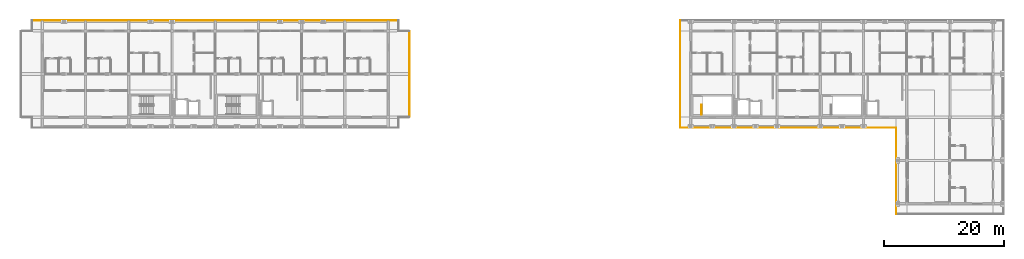
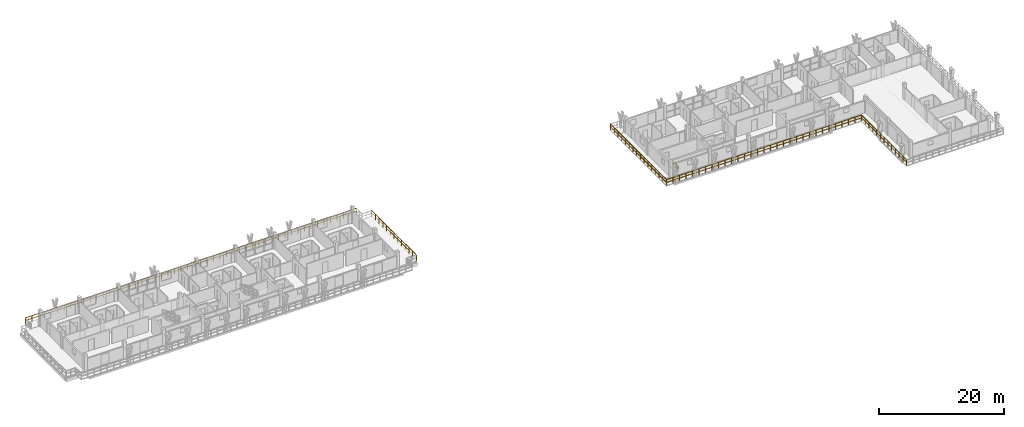
# One storey, part 31 of 32: 6 railings.
"""IFC4 building model written with IfcOpenShell, lengths in metres."""

from ifc_helpers import new_model, si_unit, direction, frame, origin, origin_2d, place, context, subcontext, project, spatial, rectangle, extrude, material, type_object, element, save


model = new_model("IFC4")

# Units and contexts
model_context = context("Model", 3, precision=1e-05, world=origin(), true_north=direction((0.0, 1.0)))
body_context = subcontext(model_context, "Body", "Model", "MODEL_VIEW")
ifc_project = project(units=[si_unit("LENGTHUNIT", "METRE"), si_unit("AREAUNIT", "SQUARE_METRE"), si_unit("VOLUMEUNIT", "CUBIC_METRE"), si_unit("PLANEANGLEUNIT", "RADIAN"), si_unit("MASSUNIT", "GRAM", prefix="KILO")], contexts=[model_context])

# Site, building, storey
site_placement = place(None, origin())
site = spatial("IfcSite", under=ifc_project, at=site_placement, CompositionType="ELEMENT")
building_placement = place(site_placement, origin())
building = spatial("IfcBuilding", under=site, at=building_placement, Name="Suanplinth Sawtooth Commons", CompositionType="ELEMENT")
storey_placement = place(building_placement, frame((0.0, 0.0, 41.199951171875)))
storey = spatial("IfcBuildingStorey", under=building, at=storey_placement, Name="L12", CompositionType="ELEMENT", Elevation=41.199951171875)

# Railings
ifc_material_1 = material(Name="Powder-coated galvanized steel", Category="steel")
railing_type_1 = type_object("IfcRailingType", Name="GR-01", PredefinedType="BALUSTRADE", material=ifc_material_1)
railing_1_placement = place(storey_placement, frame((27.06005859375, 124.139892578125, 0.0)))
element("IfcRailing", 1, at=railing_1_placement, inside=storey, type_object=railing_type_1, Name="L12 Block A Perimeter Balustrade 5", PredefinedType="BALUSTRADE", context=body_context, shape_type="SweptSolid", body=[
    extrude(rectangle(XDim=0.048095703125, YDim=0.048095703125, at=origin_2d()), frame((0.0, 0.0, 1.09619140625), z_axis=(1.0, 0.0, 0.0), x_axis=(0.0, 1.0, 0.0)), (0.0, 0.0, 1.0), 61.079833984375),
    extrude(rectangle(XDim=0.03369140625, YDim=0.03369140625, at=origin_2d()), frame((0.0, 0.0, 0.56005859375), z_axis=(1.0, 0.0, 0.0), x_axis=(0.0, 1.0, 0.0)), (0.0, 0.0, 1.0), 61.079833984375),
    extrude(rectangle(XDim=0.0419921875, YDim=0.0419921875, at=origin_2d()), origin(), (0.0, 0.0, 1.0), 1.072021484375),
    extrude(rectangle(XDim=0.0419921875, YDim=0.0419921875, at=origin_2d()), frame((1.19775390625, 0.0, 0.0)), (0.0, 0.0, 1.0), 1.072021484375),
    extrude(rectangle(XDim=0.0419921875, YDim=0.0419921875, at=origin_2d()), frame((2.395263671875, 0.0, 0.0)), (0.0, 0.0, 1.0), 1.072021484375),
    extrude(rectangle(XDim=0.0419921875, YDim=0.0419921875, at=origin_2d()), frame((3.593017578125, 0.0, 0.0)), (0.0, 0.0, 1.0), 1.072021484375),
    extrude(rectangle(XDim=0.0419921875, YDim=0.0419921875, at=origin_2d()), frame((4.79052734375, 0.0, 0.0)), (0.0, 0.0, 1.0), 1.072021484375),
    extrude(rectangle(XDim=0.0419921875, YDim=0.0419921875, at=origin_2d()), frame((5.98828125, 0.0, 0.0)), (0.0, 0.0, 1.0), 1.072021484375),
    extrude(rectangle(XDim=0.0419921875, YDim=0.0419921875, at=origin_2d()), frame((7.185791015625, 0.0, 0.0)), (0.0, 0.0, 1.0), 1.072021484375),
    extrude(rectangle(XDim=0.0419921875, YDim=0.0419921875, at=origin_2d()), frame((8.383544921875, 0.0, 0.0)), (0.0, 0.0, 1.0), 1.072021484375),
    extrude(rectangle(XDim=0.0419921875, YDim=0.0419921875, at=origin_2d()), frame((9.5810546875, 0.0, 0.0)), (0.0, 0.0, 1.0), 1.072021484375),
    extrude(rectangle(XDim=0.0419921875, YDim=0.0419921875, at=origin_2d()), frame((10.77880859375, 0.0, 0.0)), (0.0, 0.0, 1.0), 1.072021484375),
    extrude(rectangle(XDim=0.0419921875, YDim=0.0419921875, at=origin_2d()), frame((11.976318359375, 0.0, 0.0)), (0.0, 0.0, 1.0), 1.072021484375),
    extrude(rectangle(XDim=0.0419921875, YDim=0.0419921875, at=origin_2d()), frame((13.174072265625, 0.0, 0.0)), (0.0, 0.0, 1.0), 1.072021484375),
    extrude(rectangle(XDim=0.0419921875, YDim=0.0419921875, at=origin_2d()), frame((14.371826171875, 0.0, 0.0)), (0.0, 0.0, 1.0), 1.072021484375),
    extrude(rectangle(XDim=0.0419921875, YDim=0.0419921875, at=origin_2d()), frame((15.5693359375, 0.0, 0.0)), (0.0, 0.0, 1.0), 1.072021484375),
    extrude(rectangle(XDim=0.0419921875, YDim=0.0419921875, at=origin_2d()), frame((16.76708984375, 0.0, 0.0)), (0.0, 0.0, 1.0), 1.072021484375),
    extrude(rectangle(XDim=0.0419921875, YDim=0.0419921875, at=origin_2d()), frame((17.964599609375, 0.0, 0.0)), (0.0, 0.0, 1.0), 1.072021484375),
    extrude(rectangle(XDim=0.0419921875, YDim=0.0419921875, at=origin_2d()), frame((19.162353515625, 0.0, 0.0)), (0.0, 0.0, 1.0), 1.072021484375),
    extrude(rectangle(XDim=0.0419921875, YDim=0.0419921875, at=origin_2d()), frame((20.35986328125, 0.0, 0.0)), (0.0, 0.0, 1.0), 1.072021484375),
    extrude(rectangle(XDim=0.0419921875, YDim=0.0419921875, at=origin_2d()), frame((21.5576171875, 0.0, 0.0)), (0.0, 0.0, 1.0), 1.072021484375),
    extrude(rectangle(XDim=0.0419921875, YDim=0.0419921875, at=origin_2d()), frame((22.755126953125, 0.0, 0.0)), (0.0, 0.0, 1.0), 1.072021484375),
    extrude(rectangle(XDim=0.0419921875, YDim=0.0419921875, at=origin_2d()), frame((23.952880859375, 0.0, 0.0)), (0.0, 0.0, 1.0), 1.072021484375),
    extrude(rectangle(XDim=0.0419921875, YDim=0.0419921875, at=origin_2d()), frame((25.150634765625, 0.0, 0.0)), (0.0, 0.0, 1.0), 1.072021484375),
    extrude(rectangle(XDim=0.0419921875, YDim=0.0419921875, at=origin_2d()), frame((26.34814453125, 0.0, 0.0)), (0.0, 0.0, 1.0), 1.072021484375),
    extrude(rectangle(XDim=0.0419921875, YDim=0.0419921875, at=origin_2d()), frame((27.5458984375, 0.0, 0.0)), (0.0, 0.0, 1.0), 1.072021484375),
    extrude(rectangle(XDim=0.0419921875, YDim=0.0419921875, at=origin_2d()), frame((28.743408203125, 0.0, 0.0)), (0.0, 0.0, 1.0), 1.072021484375),
    extrude(rectangle(XDim=0.0419921875, YDim=0.0419921875, at=origin_2d()), frame((29.941162109375, 0.0, 0.0)), (0.0, 0.0, 1.0), 1.072021484375),
    extrude(rectangle(XDim=0.0419921875, YDim=0.0419921875, at=origin_2d()), frame((31.138671875, 0.0, 0.0)), (0.0, 0.0, 1.0), 1.072021484375),
    extrude(rectangle(XDim=0.0419921875, YDim=0.0419921875, at=origin_2d()), frame((32.33642578125, 0.0, 0.0)), (0.0, 0.0, 1.0), 1.072021484375),
    extrude(rectangle(XDim=0.0419921875, YDim=0.0419921875, at=origin_2d()), frame((33.533935546875, 0.0, 0.0)), (0.0, 0.0, 1.0), 1.072021484375),
    extrude(rectangle(XDim=0.0419921875, YDim=0.0419921875, at=origin_2d()), frame((34.731689453125, 0.0, 0.0)), (0.0, 0.0, 1.0), 1.072021484375),
    extrude(rectangle(XDim=0.0419921875, YDim=0.0419921875, at=origin_2d()), frame((35.92919921875, 0.0, 0.0)), (0.0, 0.0, 1.0), 1.072021484375),
    extrude(rectangle(XDim=0.0419921875, YDim=0.0419921875, at=origin_2d()), frame((37.126953125, 0.0, 0.0)), (0.0, 0.0, 1.0), 1.072021484375),
    extrude(rectangle(XDim=0.0419921875, YDim=0.0419921875, at=origin_2d()), frame((38.32470703125, 0.0, 0.0)), (0.0, 0.0, 1.0), 1.072021484375),
    extrude(rectangle(XDim=0.0419921875, YDim=0.0419921875, at=origin_2d()), frame((39.522216796875, 0.0, 0.0)), (0.0, 0.0, 1.0), 1.072021484375),
    extrude(rectangle(XDim=0.0419921875, YDim=0.0419921875, at=origin_2d()), frame((40.719970703125, 0.0, 0.0)), (0.0, 0.0, 1.0), 1.072021484375),
    extrude(rectangle(XDim=0.0419921875, YDim=0.0419921875, at=origin_2d()), frame((41.91748046875, 0.0, 0.0)), (0.0, 0.0, 1.0), 1.072021484375),
    extrude(rectangle(XDim=0.0419921875, YDim=0.0419921875, at=origin_2d()), frame((43.115234375, 0.0, 0.0)), (0.0, 0.0, 1.0), 1.072021484375),
    extrude(rectangle(XDim=0.0419921875, YDim=0.0419921875, at=origin_2d()), frame((44.312744140625, 0.0, 0.0)), (0.0, 0.0, 1.0), 1.072021484375),
    extrude(rectangle(XDim=0.0419921875, YDim=0.0419921875, at=origin_2d()), frame((45.510498046875, 0.0, 0.0)), (0.0, 0.0, 1.0), 1.072021484375),
    extrude(rectangle(XDim=0.0419921875, YDim=0.0419921875, at=origin_2d()), frame((46.7080078125, 0.0, 0.0)), (0.0, 0.0, 1.0), 1.072021484375),
    extrude(rectangle(XDim=0.0419921875, YDim=0.0419921875, at=origin_2d()), frame((47.90576171875, 0.0, 0.0)), (0.0, 0.0, 1.0), 1.072021484375),
    extrude(rectangle(XDim=0.0419921875, YDim=0.0419921875, at=origin_2d()), frame((49.103515625, 0.0, 0.0)), (0.0, 0.0, 1.0), 1.072021484375),
    extrude(rectangle(XDim=0.0419921875, YDim=0.0419921875, at=origin_2d()), frame((50.301025390625, 0.0, 0.0)), (0.0, 0.0, 1.0), 1.072021484375),
    extrude(rectangle(XDim=0.0419921875, YDim=0.0419921875, at=origin_2d()), frame((51.498779296875, 0.0, 0.0)), (0.0, 0.0, 1.0), 1.072021484375),
    extrude(rectangle(XDim=0.0419921875, YDim=0.0419921875, at=origin_2d()), frame((52.6962890625, 0.0, 0.0)), (0.0, 0.0, 1.0), 1.072021484375),
    extrude(rectangle(XDim=0.0419921875, YDim=0.0419921875, at=origin_2d()), frame((53.89404296875, 0.0, 0.0)), (0.0, 0.0, 1.0), 1.072021484375),
    extrude(rectangle(XDim=0.0419921875, YDim=0.0419921875, at=origin_2d()), frame((55.091552734375, 0.0, 0.0)), (0.0, 0.0, 1.0), 1.072021484375),
    extrude(rectangle(XDim=0.0419921875, YDim=0.0419921875, at=origin_2d()), frame((56.289306640625, 0.0, 0.0)), (0.0, 0.0, 1.0), 1.072021484375),
    extrude(rectangle(XDim=0.0419921875, YDim=0.0419921875, at=origin_2d()), frame((57.48681640625, 0.0, 0.0)), (0.0, 0.0, 1.0), 1.072021484375),
    extrude(rectangle(XDim=0.0419921875, YDim=0.0419921875, at=origin_2d()), frame((58.6845703125, 0.0, 0.0)), (0.0, 0.0, 1.0), 1.072021484375),
    extrude(rectangle(XDim=0.0419921875, YDim=0.0419921875, at=origin_2d()), frame((59.882080078125, 0.0, 0.0)), (0.0, 0.0, 1.0), 1.072021484375),
    extrude(rectangle(XDim=0.0419921875, YDim=0.0419921875, at=origin_2d()), frame((61.079833984375, 0.0, 0.0)), (0.0, 0.0, 1.0), 1.072021484375),
])
railing_2_placement = place(storey_placement, frame((89.93994140625, 122.340087890625, 0.0)))
element("IfcRailing", 2, at=railing_2_placement, inside=storey, type_object=railing_type_1, Name="L12 Block A Perimeter Balustrade 8", PredefinedType="BALUSTRADE", context=body_context, shape_type="SweptSolid", body=[
    extrude(rectangle(XDim=0.048095703125, YDim=0.048095703125, at=origin_2d()), frame((0.0, 0.0, 1.09619140625), z_axis=(0.0, -1.0, 0.0), x_axis=(1.0, 0.0, 0.0)), (0.0, 0.0, 1.0), 14.280029296875),
    extrude(rectangle(XDim=0.03369140625, YDim=0.03369140625, at=origin_2d()), frame((0.0, 0.0, 0.56005859375), z_axis=(0.0, -1.0, 0.0), x_axis=(1.0, 0.0, 0.0)), (0.0, 0.0, 1.0), 14.280029296875),
    extrude(rectangle(XDim=0.0419921875, YDim=0.0419921875, at=origin_2d()), origin(), (0.0, 0.0, 1.0), 1.072021484375),
    extrude(rectangle(XDim=0.0419921875, YDim=0.0419921875, at=origin_2d()), frame((0.0, -1.18994140625, 0.0)), (0.0, 0.0, 1.0), 1.072021484375),
    extrude(rectangle(XDim=0.0419921875, YDim=0.0419921875, at=origin_2d()), frame((0.0, -2.3798828125, 0.0)), (0.0, 0.0, 1.0), 1.072021484375),
    extrude(rectangle(XDim=0.0419921875, YDim=0.0419921875, at=origin_2d()), frame((0.0, -3.570068359375, 0.0)), (0.0, 0.0, 1.0), 1.072021484375),
    extrude(rectangle(XDim=0.0419921875, YDim=0.0419921875, at=origin_2d()), frame((0.0, -4.760009765625, 0.0)), (0.0, 0.0, 1.0), 1.072021484375),
    extrude(rectangle(XDim=0.0419921875, YDim=0.0419921875, at=origin_2d()), frame((0.0, -5.949951171875, 0.0)), (0.0, 0.0, 1.0), 1.072021484375),
    extrude(rectangle(XDim=0.0419921875, YDim=0.0419921875, at=origin_2d()), frame((0.0, -7.14013671875, 0.0)), (0.0, 0.0, 1.0), 1.072021484375),
    extrude(rectangle(XDim=0.0419921875, YDim=0.0419921875, at=origin_2d()), frame((0.0, -8.330078125, 0.0)), (0.0, 0.0, 1.0), 1.072021484375),
    extrude(rectangle(XDim=0.0419921875, YDim=0.0419921875, at=origin_2d()), frame((0.0, -9.52001953125, 0.0)), (0.0, 0.0, 1.0), 1.072021484375),
    extrude(rectangle(XDim=0.0419921875, YDim=0.0419921875, at=origin_2d()), frame((0.0, -10.7099609375, 0.0)), (0.0, 0.0, 1.0), 1.072021484375),
    extrude(rectangle(XDim=0.0419921875, YDim=0.0419921875, at=origin_2d()), frame((0.0, -11.89990234375, 0.0)), (0.0, 0.0, 1.0), 1.072021484375),
    extrude(rectangle(XDim=0.0419921875, YDim=0.0419921875, at=origin_2d()), frame((0.0, -13.090087890625, 0.0)), (0.0, 0.0, 1.0), 1.072021484375),
    extrude(rectangle(XDim=0.0419921875, YDim=0.0419921875, at=origin_2d()), frame((0.0, -14.280029296875, 0.0)), (0.0, 0.0, 1.0), 1.072021484375),
])
railing_3_placement = place(storey_placement, frame((171.06005859375, 91.860107421875, 0.0)))
element("IfcRailing", 3, at=railing_3_placement, inside=storey, type_object=railing_type_1, Name="L12 Block B Perimeter Balustrade 1", PredefinedType="BALUSTRADE", context=body_context, shape_type="SweptSolid", body=[
    extrude(rectangle(XDim=0.048095703125, YDim=0.048095703125, at=origin_2d()), frame((0.0, 0.0, 1.09619140625), z_axis=(0.0, 1.0, 0.0), x_axis=(-1.0, 0.0, 0.0)), (0.0, 0.0, 1.0), 14.39990234375),
    extrude(rectangle(XDim=0.03369140625, YDim=0.03369140625, at=origin_2d()), frame((0.0, 0.0, 0.56005859375), z_axis=(0.0, 1.0, 0.0), x_axis=(-1.0, 0.0, 0.0)), (0.0, 0.0, 1.0), 14.39990234375),
    extrude(rectangle(XDim=0.0419921875, YDim=0.0419921875, at=origin_2d()), origin(), (0.0, 0.0, 1.0), 1.072021484375),
    extrude(rectangle(XDim=0.0419921875, YDim=0.0419921875, at=origin_2d()), frame((0.0, 1.199951171875, 0.0)), (0.0, 0.0, 1.0), 1.072021484375),
    extrude(rectangle(XDim=0.0419921875, YDim=0.0419921875, at=origin_2d()), frame((0.0, 2.39990234375, 0.0)), (0.0, 0.0, 1.0), 1.072021484375),
    extrude(rectangle(XDim=0.0419921875, YDim=0.0419921875, at=origin_2d()), frame((0.0, 3.60009765625, 0.0)), (0.0, 0.0, 1.0), 1.072021484375),
    extrude(rectangle(XDim=0.0419921875, YDim=0.0419921875, at=origin_2d()), frame((0.0, 4.800048828125, 0.0)), (0.0, 0.0, 1.0), 1.072021484375),
    extrude(rectangle(XDim=0.0419921875, YDim=0.0419921875, at=origin_2d()), frame((0.0, 6.0, 0.0)), (0.0, 0.0, 1.0), 1.072021484375),
    extrude(rectangle(XDim=0.0419921875, YDim=0.0419921875, at=origin_2d()), frame((0.0, 7.199951171875, 0.0)), (0.0, 0.0, 1.0), 1.072021484375),
    extrude(rectangle(XDim=0.0419921875, YDim=0.0419921875, at=origin_2d()), frame((0.0, 8.39990234375, 0.0)), (0.0, 0.0, 1.0), 1.072021484375),
    extrude(rectangle(XDim=0.0419921875, YDim=0.0419921875, at=origin_2d()), frame((0.0, 9.599853515625, 0.0)), (0.0, 0.0, 1.0), 1.072021484375),
    extrude(rectangle(XDim=0.0419921875, YDim=0.0419921875, at=origin_2d()), frame((0.0, 10.7998046875, 0.0)), (0.0, 0.0, 1.0), 1.072021484375),
    extrude(rectangle(XDim=0.0419921875, YDim=0.0419921875, at=origin_2d()), frame((0.0, 12.0, 0.0)), (0.0, 0.0, 1.0), 1.072021484375),
    extrude(rectangle(XDim=0.0419921875, YDim=0.0419921875, at=origin_2d()), frame((0.0, 13.199951171875, 0.0)), (0.0, 0.0, 1.0), 1.072021484375),
    extrude(rectangle(XDim=0.0419921875, YDim=0.0419921875, at=origin_2d()), frame((0.0, 14.39990234375, 0.0)), (0.0, 0.0, 1.0), 1.072021484375),
])
railing_4_placement = place(storey_placement, frame((171.06005859375, 106.260009765625, 0.0)))
element("IfcRailing", 4, at=railing_4_placement, inside=storey, type_object=railing_type_1, Name="L12 Block B Perimeter Balustrade 2", PredefinedType="BALUSTRADE", context=body_context, shape_type="SweptSolid", body=[
    extrude(rectangle(XDim=0.048095703125, YDim=0.048095703125, at=origin_2d()), frame((0.0, 0.0, 1.09619140625), z_axis=(-1.0, 0.0, 0.0), x_axis=(0.0, -1.0, 0.0)), (0.0, 0.0, 1.0), 36.0),
    extrude(rectangle(XDim=0.03369140625, YDim=0.03369140625, at=origin_2d()), frame((0.0, 0.0, 0.56005859375), z_axis=(-1.0, 0.0, 0.0), x_axis=(0.0, -1.0, 0.0)), (0.0, 0.0, 1.0), 36.0),
    extrude(rectangle(XDim=0.0419921875, YDim=0.0419921875, at=origin_2d()), origin(), (0.0, 0.0, 1.0), 1.072021484375),
    extrude(rectangle(XDim=0.0419921875, YDim=0.0419921875, at=origin_2d()), frame((-1.199951171875, 0.0, 0.0)), (0.0, 0.0, 1.0), 1.072021484375),
    extrude(rectangle(XDim=0.0419921875, YDim=0.0419921875, at=origin_2d()), frame((-2.39990234375, 0.0, 0.0)), (0.0, 0.0, 1.0), 1.072021484375),
    extrude(rectangle(XDim=0.0419921875, YDim=0.0419921875, at=origin_2d()), frame((-3.60009765625, 0.0, 0.0)), (0.0, 0.0, 1.0), 1.072021484375),
    extrude(rectangle(XDim=0.0419921875, YDim=0.0419921875, at=origin_2d()), frame((-4.800048828125, 0.0, 0.0)), (0.0, 0.0, 1.0), 1.072021484375),
    extrude(rectangle(XDim=0.0419921875, YDim=0.0419921875, at=origin_2d()), frame((-6.0, 0.0, 0.0)), (0.0, 0.0, 1.0), 1.072021484375),
    extrude(rectangle(XDim=0.0419921875, YDim=0.0419921875, at=origin_2d()), frame((-7.199951171875, 0.0, 0.0)), (0.0, 0.0, 1.0), 1.072021484375),
    extrude(rectangle(XDim=0.0419921875, YDim=0.0419921875, at=origin_2d()), frame((-8.39990234375, 0.0, 0.0)), (0.0, 0.0, 1.0), 1.072021484375),
    extrude(rectangle(XDim=0.0419921875, YDim=0.0419921875, at=origin_2d()), frame((-9.60009765625, 0.0, 0.0)), (0.0, 0.0, 1.0), 1.072021484375),
    extrude(rectangle(XDim=0.0419921875, YDim=0.0419921875, at=origin_2d()), frame((-10.800048828125, 0.0, 0.0)), (0.0, 0.0, 1.0), 1.072021484375),
    extrude(rectangle(XDim=0.0419921875, YDim=0.0419921875, at=origin_2d()), frame((-12.0, 0.0, 0.0)), (0.0, 0.0, 1.0), 1.072021484375),
    extrude(rectangle(XDim=0.0419921875, YDim=0.0419921875, at=origin_2d()), frame((-13.199951171875, 0.0, 0.0)), (0.0, 0.0, 1.0), 1.072021484375),
    extrude(rectangle(XDim=0.0419921875, YDim=0.0419921875, at=origin_2d()), frame((-14.39990234375, 0.0, 0.0)), (0.0, 0.0, 1.0), 1.072021484375),
    extrude(rectangle(XDim=0.0419921875, YDim=0.0419921875, at=origin_2d()), frame((-15.60009765625, 0.0, 0.0)), (0.0, 0.0, 1.0), 1.072021484375),
    extrude(rectangle(XDim=0.0419921875, YDim=0.0419921875, at=origin_2d()), frame((-16.800048828125, 0.0, 0.0)), (0.0, 0.0, 1.0), 1.072021484375),
    extrude(rectangle(XDim=0.0419921875, YDim=0.0419921875, at=origin_2d()), frame((-18.0, 0.0, 0.0)), (0.0, 0.0, 1.0), 1.072021484375),
    extrude(rectangle(XDim=0.0419921875, YDim=0.0419921875, at=origin_2d()), frame((-19.199951171875, 0.0, 0.0)), (0.0, 0.0, 1.0), 1.072021484375),
    extrude(rectangle(XDim=0.0419921875, YDim=0.0419921875, at=origin_2d()), frame((-20.39990234375, 0.0, 0.0)), (0.0, 0.0, 1.0), 1.072021484375),
    extrude(rectangle(XDim=0.0419921875, YDim=0.0419921875, at=origin_2d()), frame((-21.60009765625, 0.0, 0.0)), (0.0, 0.0, 1.0), 1.072021484375),
    extrude(rectangle(XDim=0.0419921875, YDim=0.0419921875, at=origin_2d()), frame((-22.800048828125, 0.0, 0.0)), (0.0, 0.0, 1.0), 1.072021484375),
    extrude(rectangle(XDim=0.0419921875, YDim=0.0419921875, at=origin_2d()), frame((-24.0, 0.0, 0.0)), (0.0, 0.0, 1.0), 1.072021484375),
    extrude(rectangle(XDim=0.0419921875, YDim=0.0419921875, at=origin_2d()), frame((-25.199951171875, 0.0, 0.0)), (0.0, 0.0, 1.0), 1.072021484375),
    extrude(rectangle(XDim=0.0419921875, YDim=0.0419921875, at=origin_2d()), frame((-26.39990234375, 0.0, 0.0)), (0.0, 0.0, 1.0), 1.072021484375),
    extrude(rectangle(XDim=0.0419921875, YDim=0.0419921875, at=origin_2d()), frame((-27.60009765625, 0.0, 0.0)), (0.0, 0.0, 1.0), 1.072021484375),
    extrude(rectangle(XDim=0.0419921875, YDim=0.0419921875, at=origin_2d()), frame((-28.800048828125, 0.0, 0.0)), (0.0, 0.0, 1.0), 1.072021484375),
    extrude(rectangle(XDim=0.0419921875, YDim=0.0419921875, at=origin_2d()), frame((-30.0, 0.0, 0.0)), (0.0, 0.0, 1.0), 1.072021484375),
    extrude(rectangle(XDim=0.0419921875, YDim=0.0419921875, at=origin_2d()), frame((-31.199951171875, 0.0, 0.0)), (0.0, 0.0, 1.0), 1.072021484375),
    extrude(rectangle(XDim=0.0419921875, YDim=0.0419921875, at=origin_2d()), frame((-32.39990234375, 0.0, 0.0)), (0.0, 0.0, 1.0), 1.072021484375),
    extrude(rectangle(XDim=0.0419921875, YDim=0.0419921875, at=origin_2d()), frame((-33.60009765625, 0.0, 0.0)), (0.0, 0.0, 1.0), 1.072021484375),
    extrude(rectangle(XDim=0.0419921875, YDim=0.0419921875, at=origin_2d()), frame((-34.800048828125, 0.0, 0.0)), (0.0, 0.0, 1.0), 1.072021484375),
    extrude(rectangle(XDim=0.0419921875, YDim=0.0419921875, at=origin_2d()), frame((-36.0, 0.0, 0.0)), (0.0, 0.0, 1.0), 1.072021484375),
])
railing_5_placement = place(storey_placement, frame((135.06005859375, 106.260009765625, 0.0)))
element("IfcRailing", 5, at=railing_5_placement, inside=storey, type_object=railing_type_1, Name="L12 Block B Perimeter Balustrade 3", PredefinedType="BALUSTRADE", context=body_context, shape_type="SweptSolid", body=[
    extrude(rectangle(XDim=0.048095703125, YDim=0.048095703125, at=origin_2d()), frame((0.0, 0.0, 1.09619140625), z_axis=(0.0, 1.0, 0.0), x_axis=(-1.0, 0.0, 0.0)), (0.0, 0.0, 1.0), 17.8798828125),
    extrude(rectangle(XDim=0.03369140625, YDim=0.03369140625, at=origin_2d()), frame((0.0, 0.0, 0.56005859375), z_axis=(0.0, 1.0, 0.0), x_axis=(-1.0, 0.0, 0.0)), (0.0, 0.0, 1.0), 17.8798828125),
    extrude(rectangle(XDim=0.0419921875, YDim=0.0419921875, at=origin_2d()), origin(), (0.0, 0.0, 1.0), 1.072021484375),
    extrude(rectangle(XDim=0.0419921875, YDim=0.0419921875, at=origin_2d()), frame((0.0, 1.19189453125, 0.0)), (0.0, 0.0, 1.0), 1.072021484375),
    extrude(rectangle(XDim=0.0419921875, YDim=0.0419921875, at=origin_2d()), frame((0.0, 2.384033203125, 0.0)), (0.0, 0.0, 1.0), 1.072021484375),
    extrude(rectangle(XDim=0.0419921875, YDim=0.0419921875, at=origin_2d()), frame((0.0, 3.575927734375, 0.0)), (0.0, 0.0, 1.0), 1.072021484375),
    extrude(rectangle(XDim=0.0419921875, YDim=0.0419921875, at=origin_2d()), frame((0.0, 4.76806640625, 0.0)), (0.0, 0.0, 1.0), 1.072021484375),
    extrude(rectangle(XDim=0.0419921875, YDim=0.0419921875, at=origin_2d()), frame((0.0, 5.9599609375, 0.0)), (0.0, 0.0, 1.0), 1.072021484375),
    extrude(rectangle(XDim=0.0419921875, YDim=0.0419921875, at=origin_2d()), frame((0.0, 7.15185546875, 0.0)), (0.0, 0.0, 1.0), 1.072021484375),
    extrude(rectangle(XDim=0.0419921875, YDim=0.0419921875, at=origin_2d()), frame((0.0, 8.343994140625, 0.0)), (0.0, 0.0, 1.0), 1.072021484375),
    extrude(rectangle(XDim=0.0419921875, YDim=0.0419921875, at=origin_2d()), frame((0.0, 9.535888671875, 0.0)), (0.0, 0.0, 1.0), 1.072021484375),
    extrude(rectangle(XDim=0.0419921875, YDim=0.0419921875, at=origin_2d()), frame((0.0, 10.72802734375, 0.0)), (0.0, 0.0, 1.0), 1.072021484375),
    extrude(rectangle(XDim=0.0419921875, YDim=0.0419921875, at=origin_2d()), frame((0.0, 11.919921875, 0.0)), (0.0, 0.0, 1.0), 1.072021484375),
    extrude(rectangle(XDim=0.0419921875, YDim=0.0419921875, at=origin_2d()), frame((0.0, 13.11181640625, 0.0)), (0.0, 0.0, 1.0), 1.072021484375),
    extrude(rectangle(XDim=0.0419921875, YDim=0.0419921875, at=origin_2d()), frame((0.0, 14.303955078125, 0.0)), (0.0, 0.0, 1.0), 1.072021484375),
    extrude(rectangle(XDim=0.0419921875, YDim=0.0419921875, at=origin_2d()), frame((0.0, 15.495849609375, 0.0)), (0.0, 0.0, 1.0), 1.072021484375),
    extrude(rectangle(XDim=0.0419921875, YDim=0.0419921875, at=origin_2d()), frame((0.0, 16.68798828125, 0.0)), (0.0, 0.0, 1.0), 1.072021484375),
    extrude(rectangle(XDim=0.0419921875, YDim=0.0419921875, at=origin_2d()), frame((0.0, 17.8798828125, 0.0)), (0.0, 0.0, 1.0), 1.072021484375),
])
ifc_material_2 = material(Name="Stainless steel Grade 304", Category="steel")
railing_type_2 = type_object("IfcRailingType", Name="GR-04", PredefinedType="GUARDRAIL", material=ifc_material_2)
railing_6_placement = place(storey_placement, frame((138.60009765625, 108.449951171875, 0.0)))
element("IfcRailing", 6, at=railing_6_placement, inside=storey, type_object=railing_type_2, Name="L12 ST-E1 Top Well Guard 1", PredefinedType="GUARDRAIL", context=body_context, shape_type="SweptSolid", body=[
    extrude(rectangle(XDim=0.048095703125, YDim=0.048095703125, at=origin_2d()), frame((0.0, 0.0, 1.076171875), z_axis=(0.0, 1.0, 0.0), x_axis=(-1.0, 0.0, 0.0)), (0.0, 0.0, 1.0), 1.60009765625),
    extrude(rectangle(XDim=0.03369140625, YDim=0.03369140625, at=origin_2d()), frame((0.0, 0.0, 0.550048828125), z_axis=(0.0, 1.0, 0.0), x_axis=(-1.0, 0.0, 0.0)), (0.0, 0.0, 1.0), 1.60009765625),
    extrude(rectangle(XDim=0.0419921875, YDim=0.0419921875, at=origin_2d()), origin(), (0.0, 0.0, 1.0), 1.052001953125),
    extrude(rectangle(XDim=0.0419921875, YDim=0.0419921875, at=origin_2d()), frame((0.0, 0.800048828125, 0.0)), (0.0, 0.0, 1.0), 1.052001953125),
    extrude(rectangle(XDim=0.0419921875, YDim=0.0419921875, at=origin_2d()), frame((0.0, 1.60009765625, 0.0)), (0.0, 0.0, 1.0), 1.052001953125),
])

save(model, "model.ifc")
